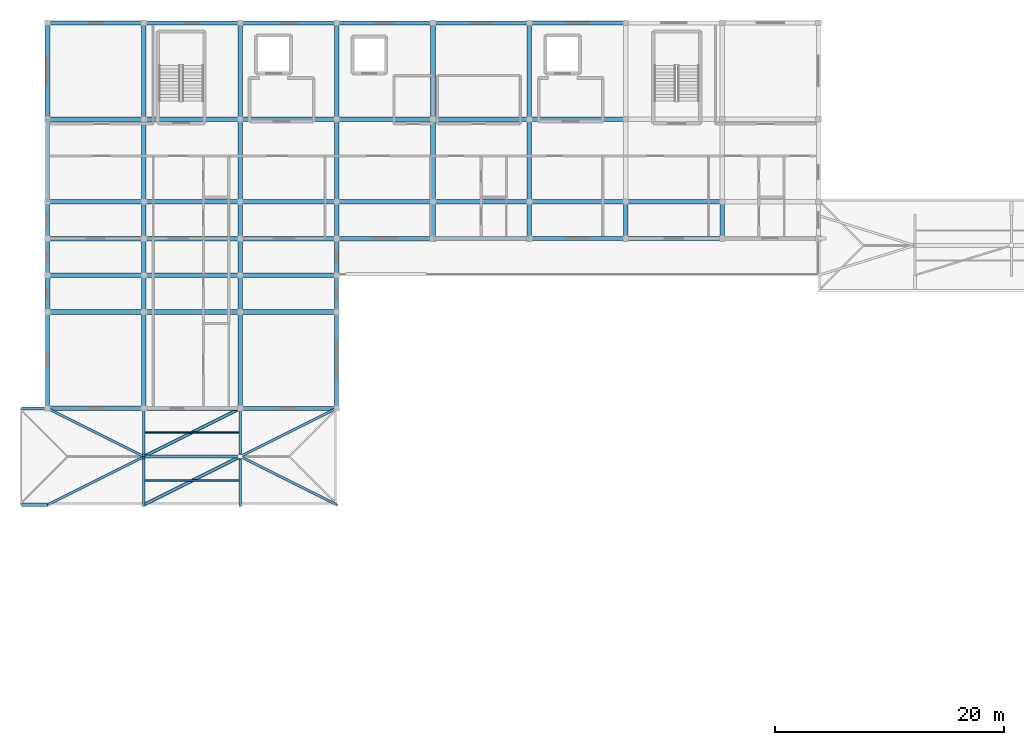
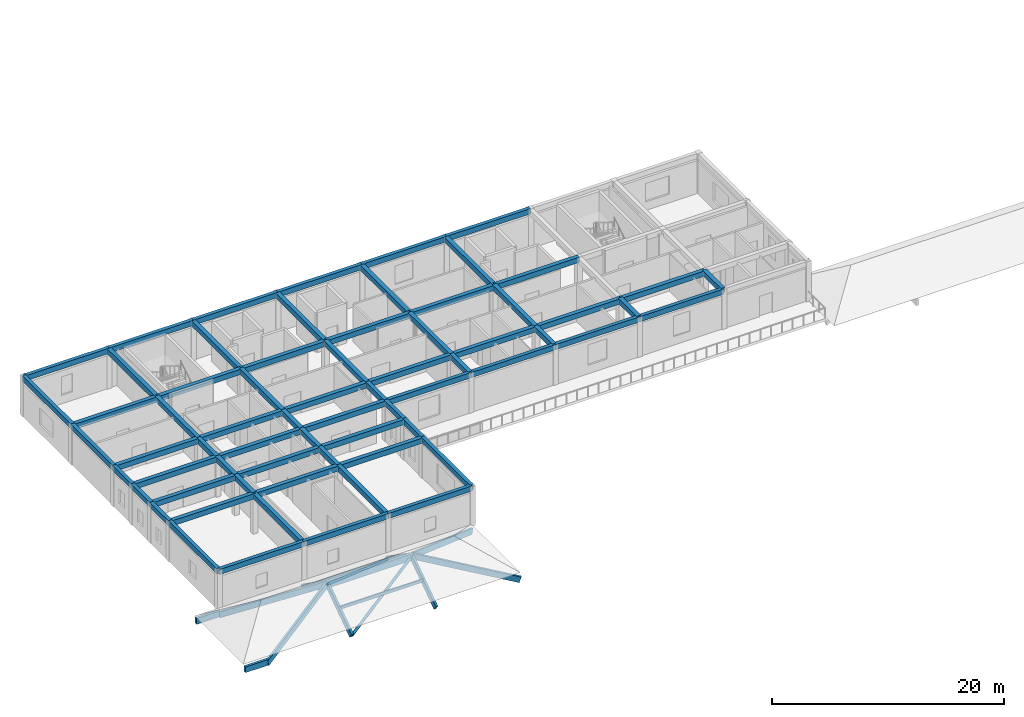
# One storey, part 3 of 26: 70 beams, 12 members.
"""IFC4 building model written with IfcOpenShell, lengths in metres."""

from ifc_helpers import new_model, si_unit, direction, frame, origin, origin_2d, place, context, subcontext, project, spatial, rectangle, hollow_circle, extrude, material, material_profile, profile_set, type_object, element, save


model = new_model("IFC4")

# Units and contexts
model_context = context("Model", 3, precision=1e-05, world=origin(), true_north=direction((0.0, 1.0)))
body_context = subcontext(model_context, "Body", "Model", "MODEL_VIEW")
ifc_project = project(units=[si_unit("LENGTHUNIT", "METRE"), si_unit("AREAUNIT", "SQUARE_METRE"), si_unit("VOLUMEUNIT", "CUBIC_METRE"), si_unit("PLANEANGLEUNIT", "RADIAN"), si_unit("MASSUNIT", "GRAM", prefix="KILO")], contexts=[model_context])

# Site, building, storey
site_placement = place(None, origin())
site = spatial("IfcSite", under=ifc_project, at=site_placement, CompositionType="ELEMENT")
building_placement = place(site_placement, origin())
building = spatial("IfcBuilding", under=site, at=building_placement, Name="Varncliffe General Hospital", CompositionType="ELEMENT")
storey_placement = place(building_placement, frame((0.0, 0.0, 28.800048828125)))
storey = spatial("IfcBuildingStorey", under=building, at=storey_placement, Name="L06", CompositionType="ELEMENT", Elevation=28.800048828125)

# Beams
ifc_material_1 = material(Name="Concrete C35/45 (CSA A23.1 35 MPa)", Category="concrete")
ifc_material_profile_1 = material_profile(ifc_material_1, rectangle(XDim=0.39990234375, YDim=0.550048828125, at=origin_2d()), Name="RC 400x550")
ifc_profile_set_1 = profile_set([ifc_material_profile_1], Name="Concrete C35/45 (CSA A23.1 35 MPa)")
beam_type_1 = type_object("IfcBeamType", Name="Beam B32 (Int RC 400x550)", PredefinedType="BEAM", material=ifc_profile_set_1)
beam_1_placement = place(storey_placement, frame((0.0, 99.60009765625, 3.925048828125), z_axis=(1.0, 0.0, 0.0), x_axis=(0.0, 1.0, 0.0)))
element("IfcBeam", 1, at=beam_1_placement, inside=storey, type_object=beam_type_1, Name="L06 Primary Beam B32-7", PredefinedType="BEAM", context=body_context, shape_type="SweptSolid", body=[
    extrude(rectangle(XDim=0.39990234375, YDim=0.550048828125, at=origin_2d()), origin(), (0.0, 0.0, 1.0), 8.39990234375),
])
beam_2_placement = place(storey_placement, frame((8.39990234375, 99.60009765625, 3.925048828125), z_axis=(1.0, 0.0, 0.0), x_axis=(0.0, 1.0, 0.0)))
element("IfcBeam", 2, at=beam_2_placement, inside=storey, type_object=beam_type_1, Name="L06 Primary Beam B32-8", PredefinedType="BEAM", context=body_context, shape_type="SweptSolid", body=[
    extrude(rectangle(XDim=0.39990234375, YDim=0.550048828125, at=origin_2d()), origin(), (0.0, 0.0, 1.0), 8.400146484375),
])
for number, where, z_axis, x_axis, name in (
    (3, (16.800048828125, 99.60009765625, 3.925048828125), (1.0, 0.0, 0.0), (0.0, 1.0, 0.0), "L06 Primary Beam B32-9"),
    (4, (0.0, 102.800048828125, 3.925048828125), (1.0, 0.0, 0.0), (0.0, 1.0, 0.0), "L06 Primary Beam B32-13"),
):
    element("IfcBeam", number, at=place(storey_placement, frame(where, z_axis=z_axis, x_axis=x_axis)), inside=storey, type_object=beam_type_1, Name=name, PredefinedType="BEAM", context=body_context, shape_type="SweptSolid", body=[
        extrude(rectangle(XDim=0.39990234375, YDim=0.550048828125, at=origin_2d()), origin(), (0.0, 0.0, 1.0), 8.39990234375),
    ])
beam_3_placement = place(storey_placement, frame((8.39990234375, 102.800048828125, 3.925048828125), z_axis=(1.0, 0.0, 0.0), x_axis=(0.0, 1.0, 0.0)))
element("IfcBeam", 5, at=beam_3_placement, inside=storey, type_object=beam_type_1, Name="L06 Primary Beam B32-14", PredefinedType="BEAM", context=body_context, shape_type="SweptSolid", body=[
    extrude(rectangle(XDim=0.39990234375, YDim=0.550048828125, at=origin_2d()), origin(), (0.0, 0.0, 1.0), 8.400146484375),
])
for number, where, z_axis, x_axis, name in (
    (6, (16.800048828125, 102.800048828125, 3.925048828125), (1.0, 0.0, 0.0), (0.0, 1.0, 0.0), "L06 Primary Beam B32-15"),
    (7, (0.0, 106.0, 3.925048828125), (1.0, 0.0, 0.0), (0.0, 1.0, 0.0), "L06 Primary Beam B32-19"),
):
    element("IfcBeam", number, at=place(storey_placement, frame(where, z_axis=z_axis, x_axis=x_axis)), inside=storey, type_object=beam_type_1, Name=name, PredefinedType="BEAM", context=body_context, shape_type="SweptSolid", body=[
        extrude(rectangle(XDim=0.39990234375, YDim=0.550048828125, at=origin_2d()), origin(), (0.0, 0.0, 1.0), 8.39990234375),
    ])
beam_4_placement = place(storey_placement, frame((8.39990234375, 106.0, 3.925048828125), z_axis=(1.0, 0.0, 0.0), x_axis=(0.0, 1.0, 0.0)))
element("IfcBeam", 8, at=beam_4_placement, inside=storey, type_object=beam_type_1, Name="L06 Primary Beam B32-20", PredefinedType="BEAM", context=body_context, shape_type="SweptSolid", body=[
    extrude(rectangle(XDim=0.39990234375, YDim=0.550048828125, at=origin_2d()), origin(), (0.0, 0.0, 1.0), 8.400146484375),
])
for number, where, z_axis, x_axis, name in (
    (9, (16.800048828125, 106.0, 3.925048828125), (1.0, 0.0, 0.0), (0.0, 1.0, 0.0), "L06 Primary Beam B32-21"),
    (10, (0.0, 109.199951171875, 3.925048828125), (1.0, 0.0, 0.0), (0.0, 1.0, 0.0), "L06 Primary Beam B32-35"),
):
    element("IfcBeam", number, at=place(storey_placement, frame(where, z_axis=z_axis, x_axis=x_axis)), inside=storey, type_object=beam_type_1, Name=name, PredefinedType="BEAM", context=body_context, shape_type="SweptSolid", body=[
        extrude(rectangle(XDim=0.39990234375, YDim=0.550048828125, at=origin_2d()), origin(), (0.0, 0.0, 1.0), 8.39990234375),
    ])
beam_5_placement = place(storey_placement, frame((8.39990234375, 109.199951171875, 3.925048828125), z_axis=(1.0, 0.0, 0.0), x_axis=(0.0, 1.0, 0.0)))
element("IfcBeam", 11, at=beam_5_placement, inside=storey, type_object=beam_type_1, Name="L06 Primary Beam B32-36", PredefinedType="BEAM", context=body_context, shape_type="SweptSolid", body=[
    extrude(rectangle(XDim=0.39990234375, YDim=0.550048828125, at=origin_2d()), origin(), (0.0, 0.0, 1.0), 8.400146484375),
])
beam_6_placement = place(storey_placement, frame((16.800048828125, 109.199951171875, 3.925048828125), z_axis=(1.0, 0.0, 0.0), x_axis=(0.0, 1.0, 0.0)))
element("IfcBeam", 12, at=beam_6_placement, inside=storey, type_object=beam_type_1, Name="L06 Primary Beam B32-37", PredefinedType="BEAM", context=body_context, shape_type="SweptSolid", body=[
    extrude(rectangle(XDim=0.39990234375, YDim=0.550048828125, at=origin_2d()), origin(), (0.0, 0.0, 1.0), 8.39990234375),
])
beam_7_placement = place(storey_placement, frame((25.199951171875, 109.199951171875, 3.925048828125), z_axis=(1.0, 0.0, 0.0), x_axis=(0.0, 1.0, 0.0)))
element("IfcBeam", 13, at=beam_7_placement, inside=storey, type_object=beam_type_1, Name="L06 Primary Beam B32-38", PredefinedType="BEAM", context=body_context, shape_type="SweptSolid", body=[
    extrude(rectangle(XDim=0.39990234375, YDim=0.550048828125, at=origin_2d()), origin(), (0.0, 0.0, 1.0), 8.400146484375),
])
for number, where, z_axis, x_axis, name in (
    (14, (33.60009765625, 109.199951171875, 3.925048828125), (1.0, 0.0, 0.0), (0.0, 1.0, 0.0), "L06 Primary Beam B32-39"),
    (15, (42.0, 109.199951171875, 3.925048828125), (1.0, 0.0, 0.0), (0.0, 1.0, 0.0), "L06 Primary Beam B32-40"),
):
    element("IfcBeam", number, at=place(storey_placement, frame(where, z_axis=z_axis, x_axis=x_axis)), inside=storey, type_object=beam_type_1, Name=name, PredefinedType="BEAM", context=body_context, shape_type="SweptSolid", body=[
        extrude(rectangle(XDim=0.39990234375, YDim=0.550048828125, at=origin_2d()), origin(), (0.0, 0.0, 1.0), 8.39990234375),
    ])
beam_8_placement = place(storey_placement, frame((50.39990234375, 109.199951171875, 3.925048828125), z_axis=(1.0, 0.0, 0.0), x_axis=(0.0, 1.0, 0.0)))
element("IfcBeam", 16, at=beam_8_placement, inside=storey, type_object=beam_type_1, Name="L06 Primary Beam B32-41", PredefinedType="BEAM", context=body_context, shape_type="SweptSolid", body=[
    extrude(rectangle(XDim=0.39990234375, YDim=0.550048828125, at=origin_2d()), origin(), (0.0, 0.0, 1.0), 8.400146484375),
])
beam_9_placement = place(storey_placement, frame((0.0, 116.39990234375, 3.925048828125), z_axis=(1.0, 0.0, 0.0), x_axis=(0.0, 1.0, 0.0)))
element("IfcBeam", 17, at=beam_9_placement, inside=storey, type_object=beam_type_1, Name="L06 Primary Beam B32-51", PredefinedType="BEAM", context=body_context, shape_type="SweptSolid", body=[
    extrude(rectangle(XDim=0.39990234375, YDim=0.550048828125, at=origin_2d()), origin(), (0.0, 0.0, 1.0), 8.39990234375),
])
beam_10_placement = place(storey_placement, frame((8.39990234375, 116.39990234375, 3.925048828125), z_axis=(1.0, 0.0, 0.0), x_axis=(0.0, 1.0, 0.0)))
element("IfcBeam", 18, at=beam_10_placement, inside=storey, type_object=beam_type_1, Name="L06 Primary Beam B32-52", PredefinedType="BEAM", context=body_context, shape_type="SweptSolid", body=[
    extrude(rectangle(XDim=0.39990234375, YDim=0.550048828125, at=origin_2d()), origin(), (0.0, 0.0, 1.0), 8.400146484375),
])
beam_11_placement = place(storey_placement, frame((16.800048828125, 116.39990234375, 3.925048828125), z_axis=(1.0, 0.0, 0.0), x_axis=(0.0, 1.0, 0.0)))
element("IfcBeam", 19, at=beam_11_placement, inside=storey, type_object=beam_type_1, Name="L06 Primary Beam B32-53", PredefinedType="BEAM", context=body_context, shape_type="SweptSolid", body=[
    extrude(rectangle(XDim=0.39990234375, YDim=0.550048828125, at=origin_2d()), origin(), (0.0, 0.0, 1.0), 8.39990234375),
])
beam_12_placement = place(storey_placement, frame((25.199951171875, 116.39990234375, 3.925048828125), z_axis=(1.0, 0.0, 0.0), x_axis=(0.0, 1.0, 0.0)))
element("IfcBeam", 20, at=beam_12_placement, inside=storey, type_object=beam_type_1, Name="L06 Primary Beam B32-54", PredefinedType="BEAM", context=body_context, shape_type="SweptSolid", body=[
    extrude(rectangle(XDim=0.39990234375, YDim=0.550048828125, at=origin_2d()), origin(), (0.0, 0.0, 1.0), 8.400146484375),
])
for number, where, z_axis, x_axis, name in (
    (21, (33.60009765625, 116.39990234375, 3.925048828125), (1.0, 0.0, 0.0), (0.0, 1.0, 0.0), "L06 Primary Beam B32-55"),
    (22, (42.0, 116.39990234375, 3.925048828125), (1.0, 0.0, 0.0), (0.0, 1.0, 0.0), "L06 Primary Beam B32-56"),
):
    element("IfcBeam", number, at=place(storey_placement, frame(where, z_axis=z_axis, x_axis=x_axis)), inside=storey, type_object=beam_type_1, Name=name, PredefinedType="BEAM", context=body_context, shape_type="SweptSolid", body=[
        extrude(rectangle(XDim=0.39990234375, YDim=0.550048828125, at=origin_2d()), origin(), (0.0, 0.0, 1.0), 8.39990234375),
    ])
beam_13_placement = place(storey_placement, frame((8.39990234375, 91.199951171875, 3.925048828125), z_axis=(0.0, 1.0, 0.0), x_axis=(-1.0, 0.0, 0.0)))
element("IfcBeam", 23, at=beam_13_placement, inside=storey, type_object=beam_type_1, Name="L06 Primary Beam B32-89", PredefinedType="BEAM", context=body_context, shape_type="SweptSolid", body=[
    extrude(rectangle(XDim=0.39990234375, YDim=0.550048828125, at=origin_2d()), origin(), (0.0, 0.0, 1.0), 8.400146484375),
])
for number, where, z_axis, x_axis, name in (
    (24, (8.39990234375, 99.60009765625, 3.925048828125), (0.0, 1.0, 0.0), (-1.0, 0.0, 0.0), "L06 Primary Beam B32-90"),
    (25, (8.39990234375, 102.800048828125, 3.925048828125), (0.0, 1.0, 0.0), (-1.0, 0.0, 0.0), "L06 Primary Beam B32-91"),
    (26, (8.39990234375, 106.0, 3.925048828125), (0.0, 1.0, 0.0), (-1.0, 0.0, 0.0), "L06 Primary Beam B32-92"),
):
    element("IfcBeam", number, at=place(storey_placement, frame(where, z_axis=z_axis, x_axis=x_axis)), inside=storey, type_object=beam_type_1, Name=name, PredefinedType="BEAM", context=body_context, shape_type="SweptSolid", body=[
        extrude(rectangle(XDim=0.39990234375, YDim=0.550048828125, at=origin_2d()), origin(), (0.0, 0.0, 1.0), 3.199951171875),
    ])
beam_14_placement = place(storey_placement, frame((8.39990234375, 109.199951171875, 3.925048828125), z_axis=(0.0, 1.0, 0.0), x_axis=(-1.0, 0.0, 0.0)))
element("IfcBeam", 27, at=beam_14_placement, inside=storey, type_object=beam_type_1, Name="L06 Primary Beam B32-93", PredefinedType="BEAM", context=body_context, shape_type="SweptSolid", body=[
    extrude(rectangle(XDim=0.39990234375, YDim=0.550048828125, at=origin_2d()), origin(), (0.0, 0.0, 1.0), 7.199951171875),
])
for number, where, z_axis, x_axis, name in (
    (28, (8.39990234375, 116.39990234375, 3.925048828125), (0.0, 1.0, 0.0), (-1.0, 0.0, 0.0), "L06 Primary Beam B32-94"),
    (29, (16.800048828125, 91.199951171875, 3.925048828125), (0.0, 1.0, 0.0), (-1.0, 0.0, 0.0), "L06 Primary Beam B32-95"),
):
    element("IfcBeam", number, at=place(storey_placement, frame(where, z_axis=z_axis, x_axis=x_axis)), inside=storey, type_object=beam_type_1, Name=name, PredefinedType="BEAM", context=body_context, shape_type="SweptSolid", body=[
        extrude(rectangle(XDim=0.39990234375, YDim=0.550048828125, at=origin_2d()), origin(), (0.0, 0.0, 1.0), 8.400146484375),
    ])
for number, where, z_axis, x_axis, name in (
    (30, (16.800048828125, 99.60009765625, 3.925048828125), (0.0, 1.0, 0.0), (-1.0, 0.0, 0.0), "L06 Primary Beam B32-96"),
    (31, (16.800048828125, 102.800048828125, 3.925048828125), (0.0, 1.0, 0.0), (-1.0, 0.0, 0.0), "L06 Primary Beam B32-97"),
    (32, (16.800048828125, 106.0, 3.925048828125), (0.0, 1.0, 0.0), (-1.0, 0.0, 0.0), "L06 Primary Beam B32-98"),
):
    element("IfcBeam", number, at=place(storey_placement, frame(where, z_axis=z_axis, x_axis=x_axis)), inside=storey, type_object=beam_type_1, Name=name, PredefinedType="BEAM", context=body_context, shape_type="SweptSolid", body=[
        extrude(rectangle(XDim=0.39990234375, YDim=0.550048828125, at=origin_2d()), origin(), (0.0, 0.0, 1.0), 3.199951171875),
    ])
beam_15_placement = place(storey_placement, frame((16.800048828125, 109.199951171875, 3.925048828125), z_axis=(0.0, 1.0, 0.0), x_axis=(-1.0, 0.0, 0.0)))
element("IfcBeam", 33, at=beam_15_placement, inside=storey, type_object=beam_type_1, Name="L06 Primary Beam B32-99", PredefinedType="BEAM", context=body_context, shape_type="SweptSolid", body=[
    extrude(rectangle(XDim=0.39990234375, YDim=0.550048828125, at=origin_2d()), origin(), (0.0, 0.0, 1.0), 7.199951171875),
])
beam_16_placement = place(storey_placement, frame((16.800048828125, 116.39990234375, 3.925048828125), z_axis=(0.0, 1.0, 0.0), x_axis=(-1.0, 0.0, 0.0)))
element("IfcBeam", 34, at=beam_16_placement, inside=storey, type_object=beam_type_1, Name="L06 Primary Beam B32-100", PredefinedType="BEAM", context=body_context, shape_type="SweptSolid", body=[
    extrude(rectangle(XDim=0.39990234375, YDim=0.550048828125, at=origin_2d()), origin(), (0.0, 0.0, 1.0), 8.400146484375),
])
beam_17_placement = place(storey_placement, frame((25.199951171875, 106.0, 3.925048828125), z_axis=(0.0, 1.0, 0.0), x_axis=(-1.0, 0.0, 0.0)))
element("IfcBeam", 35, at=beam_17_placement, inside=storey, type_object=beam_type_1, Name="L06 Primary Beam B32-104", PredefinedType="BEAM", context=body_context, shape_type="SweptSolid", body=[
    extrude(rectangle(XDim=0.39990234375, YDim=0.550048828125, at=origin_2d()), origin(), (0.0, 0.0, 1.0), 3.199951171875),
])
beam_18_placement = place(storey_placement, frame((25.199951171875, 109.199951171875, 3.925048828125), z_axis=(0.0, 1.0, 0.0), x_axis=(-1.0, 0.0, 0.0)))
element("IfcBeam", 36, at=beam_18_placement, inside=storey, type_object=beam_type_1, Name="L06 Primary Beam B32-105", PredefinedType="BEAM", context=body_context, shape_type="SweptSolid", body=[
    extrude(rectangle(XDim=0.39990234375, YDim=0.550048828125, at=origin_2d()), origin(), (0.0, 0.0, 1.0), 7.199951171875),
])
beam_19_placement = place(storey_placement, frame((25.199951171875, 116.39990234375, 3.925048828125), z_axis=(0.0, 1.0, 0.0), x_axis=(-1.0, 0.0, 0.0)))
element("IfcBeam", 37, at=beam_19_placement, inside=storey, type_object=beam_type_1, Name="L06 Primary Beam B32-106", PredefinedType="BEAM", context=body_context, shape_type="SweptSolid", body=[
    extrude(rectangle(XDim=0.39990234375, YDim=0.550048828125, at=origin_2d()), origin(), (0.0, 0.0, 1.0), 8.400146484375),
])
beam_20_placement = place(storey_placement, frame((33.60009765625, 106.0, 3.925048828125), z_axis=(0.0, 1.0, 0.0), x_axis=(-1.0, 0.0, 0.0)))
element("IfcBeam", 38, at=beam_20_placement, inside=storey, type_object=beam_type_1, Name="L06 Primary Beam B32-107", PredefinedType="BEAM", context=body_context, shape_type="SweptSolid", body=[
    extrude(rectangle(XDim=0.39990234375, YDim=0.550048828125, at=origin_2d()), origin(), (0.0, 0.0, 1.0), 3.199951171875),
])
beam_21_placement = place(storey_placement, frame((33.60009765625, 109.199951171875, 3.925048828125), z_axis=(0.0, 1.0, 0.0), x_axis=(-1.0, 0.0, 0.0)))
element("IfcBeam", 39, at=beam_21_placement, inside=storey, type_object=beam_type_1, Name="L06 Primary Beam B32-108", PredefinedType="BEAM", context=body_context, shape_type="SweptSolid", body=[
    extrude(rectangle(XDim=0.39990234375, YDim=0.550048828125, at=origin_2d()), origin(), (0.0, 0.0, 1.0), 7.199951171875),
])
beam_22_placement = place(storey_placement, frame((33.60009765625, 116.39990234375, 3.925048828125), z_axis=(0.0, 1.0, 0.0), x_axis=(-1.0, 0.0, 0.0)))
element("IfcBeam", 40, at=beam_22_placement, inside=storey, type_object=beam_type_1, Name="L06 Primary Beam B32-109", PredefinedType="BEAM", context=body_context, shape_type="SweptSolid", body=[
    extrude(rectangle(XDim=0.39990234375, YDim=0.550048828125, at=origin_2d()), origin(), (0.0, 0.0, 1.0), 8.400146484375),
])
beam_23_placement = place(storey_placement, frame((42.0, 106.0, 3.925048828125), z_axis=(0.0, 1.0, 0.0), x_axis=(-1.0, 0.0, 0.0)))
element("IfcBeam", 41, at=beam_23_placement, inside=storey, type_object=beam_type_1, Name="L06 Primary Beam B32-110", PredefinedType="BEAM", context=body_context, shape_type="SweptSolid", body=[
    extrude(rectangle(XDim=0.39990234375, YDim=0.550048828125, at=origin_2d()), origin(), (0.0, 0.0, 1.0), 3.199951171875),
])
beam_24_placement = place(storey_placement, frame((42.0, 109.199951171875, 3.925048828125), z_axis=(0.0, 1.0, 0.0), x_axis=(-1.0, 0.0, 0.0)))
element("IfcBeam", 42, at=beam_24_placement, inside=storey, type_object=beam_type_1, Name="L06 Primary Beam B32-111", PredefinedType="BEAM", context=body_context, shape_type="SweptSolid", body=[
    extrude(rectangle(XDim=0.39990234375, YDim=0.550048828125, at=origin_2d()), origin(), (0.0, 0.0, 1.0), 7.199951171875),
])
beam_25_placement = place(storey_placement, frame((42.0, 116.39990234375, 3.925048828125), z_axis=(0.0, 1.0, 0.0), x_axis=(-1.0, 0.0, 0.0)))
element("IfcBeam", 43, at=beam_25_placement, inside=storey, type_object=beam_type_1, Name="L06 Primary Beam B32-112", PredefinedType="BEAM", context=body_context, shape_type="SweptSolid", body=[
    extrude(rectangle(XDim=0.39990234375, YDim=0.550048828125, at=origin_2d()), origin(), (0.0, 0.0, 1.0), 8.400146484375),
])
for number, where, z_axis, x_axis, name in (
    (44, (50.39990234375, 106.0, 3.925048828125), (0.0, 1.0, 0.0), (-1.0, 0.0, 0.0), "L06 Primary Beam B32-113"),
    (45, (58.800048828125, 106.0, 3.925048828125), (0.0, 1.0, 0.0), (-1.0, 0.0, 0.0), "L06 Primary Beam B32-116"),
):
    element("IfcBeam", number, at=place(storey_placement, frame(where, z_axis=z_axis, x_axis=x_axis)), inside=storey, type_object=beam_type_1, Name=name, PredefinedType="BEAM", context=body_context, shape_type="SweptSolid", body=[
        extrude(rectangle(XDim=0.39990234375, YDim=0.550048828125, at=origin_2d()), origin(), (0.0, 0.0, 1.0), 3.199951171875),
    ])
ifc_material_2 = material(Name="Glulam GL28h (CSA O86 24f-EX, 30 MPa)", Category="wood")
ifc_material_profile_2 = material_profile(ifc_material_2, rectangle(XDim=0.264892578125, YDim=0.68408203125, at=origin_2d()), Name="GL 265x684")
ifc_profile_set_2 = profile_set([ifc_material_profile_2], Name="Glulam GL28h (CSA O86 24f-EX, 30 MPa)")
beam_type_2 = type_object("IfcBeamType", Name="Beam B72 (Int GL 265x684)", PredefinedType="BEAM", material=ifc_profile_set_2)
beam_26_placement = place(storey_placement, frame((8.239990234375, 87.0, 2.14208984375), z_axis=(1.0, 0.0, 0.0), x_axis=(0.0, 1.0, 0.0)))
element("IfcBeam", 46, at=beam_26_placement, inside=storey, type_object=beam_type_2, Name="L06 RF-V6-SW1 Glulam Ridge Girder", PredefinedType="BEAM", context=body_context, shape_type="SweptSolid", body=[
    extrude(rectangle(XDim=0.264892578125, YDim=0.68408203125, at=origin_2d()), origin(), (0.0, 0.0, 1.0), 8.719970703125),
])
ifc_material_profile_3 = material_profile(ifc_material_2, rectangle(XDim=0.264892578125, YDim=0.60791015625, at=origin_2d()), Name="GL 265x608")
ifc_profile_set_3 = profile_set([ifc_material_profile_3], Name="Glulam GL28h (CSA O86 24f-EX, 30 MPa)")
beam_type_3 = type_object("IfcBeamType", Name="Beam B82 (Ext GL 265x608)", PredefinedType="BEAM", material=ifc_profile_set_3)
for number, where, z_axis, x_axis, name in (
    (47, (-2.260009765625, 82.800048828125, -0.5244140625), (1.0, 0.0, 0.0), (0.0, 1.0, 0.0), "L06 RF-V6-SW1 West Eave Lookout Bracket 1"),
    (48, (-2.260009765625, 91.199951171875, -0.5244140625), (1.0, 0.0, 0.0), (0.0, 1.0, 0.0), "L06 RF-V6-SW1 West Eave Lookout Bracket 2"),
):
    element("IfcBeam", number, at=place(storey_placement, frame(where, z_axis=z_axis, x_axis=x_axis)), inside=storey, type_object=beam_type_3, Name=name, PredefinedType="BEAM", context=body_context, shape_type="SweptSolid", body=[
        extrude(rectangle(XDim=0.264892578125, YDim=0.60791015625, at=origin_2d()), origin(), (0.0, 0.0, 1.0), 2.260009765625),
    ])

# Members
ifc_material_profile_4 = material_profile(ifc_material_2, rectangle(XDim=0.215087890625, YDim=0.60791015625, at=origin_2d()), Name="GL 215x608")
ifc_profile_set_4 = profile_set([ifc_material_profile_4], Name="Glulam GL28h (CSA O86 24f-EX, 30 MPa)")
member_type_1 = type_object("IfcMemberType", Name="Member MB20 (RAFTER Int GL 215x608)", PredefinedType="RAFTER", material=ifc_profile_set_4)
for number, where, z_axis, x_axis, name in (
    (49, (0.0, 82.800048828125, -0.66552734375), (0.854710030416, 0.427342527845, 0.294701760772), (-0.447203141302, 0.894432418022, 0.0), "L06 RF-V6-SW1 Hip Rafter SW"),
    (50, (0.0, 91.199951171875, -0.66552734375), (0.854710030416, -0.427342527845, 0.294701760772), (0.447203141302, 0.894432418022, 0.0), "L06 RF-V6-SW1 Hip Rafter NW"),
    (51, (25.199951171875, 82.800048828125, -0.66552734375), (-0.854710030416, 0.427342527845, 0.294701760772), (-0.447203141302, -0.894432418022, 0.0), "L06 RF-V6-SW1 Hip Rafter SE"),
    (52, (25.199951171875, 91.199951171875, -0.66552734375), (-0.854710030416, -0.427342527845, 0.294701760772), (0.447203141302, -0.894432418022, 0.0), "L06 RF-V6-SW1 Hip Rafter NE"),
):
    element("IfcMember", number, at=place(storey_placement, frame(where, z_axis=z_axis, x_axis=x_axis)), inside=storey, type_object=member_type_1, Name=name, PredefinedType="RAFTER", context=body_context, shape_type="SweptSolid", body=[
        extrude(rectangle(XDim=0.215087890625, YDim=0.60791015625, at=origin_2d()), origin(), (0.0, 0.0, 1.0), 9.775390625),
    ])
for number, where, z_axis, x_axis, name in (
    (53, (8.39990234375, 82.800048828125, -0.716796875), (0.0, 0.823201050111, 0.567749972344), (-1.0, 0.0, 0.0), "L06 RF-V6-SW1 South Sloped Glulam Rafter 1"),
    (54, (8.39990234375, 91.199951171875, -0.716796875), (0.0, -0.823201050111, 0.567749972344), (1.0, 0.0, 0.0), "L06 RF-V6-SW1 North Sloped Glulam Rafter 1"),
    (55, (16.800048828125, 82.800048828125, -0.716796875), (0.0, 0.823201050111, 0.567749972344), (-1.0, 0.0, 0.0), "L06 RF-V6-SW1 South Sloped Glulam Rafter 2"),
    (56, (16.800048828125, 91.199951171875, -0.716796875), (0.0, -0.823201050111, 0.567749972344), (1.0, 0.0, 0.0), "L06 RF-V6-SW1 North Sloped Glulam Rafter 2"),
):
    element("IfcMember", number, at=place(storey_placement, frame(where, z_axis=z_axis, x_axis=x_axis)), inside=storey, type_object=member_type_1, Name=name, PredefinedType="RAFTER", context=body_context, shape_type="SweptSolid", body=[
        extrude(rectangle(XDim=0.215087890625, YDim=0.60791015625, at=origin_2d()), origin(), (0.0, 0.0, 1.0), 5.029052734375),
    ])
ifc_material_profile_5 = material_profile(ifc_material_2, rectangle(XDim=0.1298828125, YDim=0.342041015625, at=origin_2d()), Name="GL 130x342")
ifc_profile_set_5 = profile_set([ifc_material_profile_5], Name="Glulam GL28h (CSA O86 24f-EX, 30 MPa)")
member_type_2 = type_object("IfcMemberType", Name="Member MB31 (PURLIN Int GL 130x342)", PredefinedType="PURLIN", material=ifc_profile_set_5)
for number, where, z_axis, x_axis, name in (
    (57, (8.39990234375, 84.89990234375, 0.932861328125), (1.0, 0.0, 0.0), (0.0, 1.0, 0.0), "L06 RF-V6-SW1 Timber Purlin S1"),
    (58, (8.39990234375, 89.10009765625, 0.932861328125), (1.0, 0.0, 0.0), (0.0, 1.0, 0.0), "L06 RF-V6-SW1 Timber Purlin N1"),
):
    element("IfcMember", number, at=place(storey_placement, frame(where, z_axis=z_axis, x_axis=x_axis)), inside=storey, type_object=member_type_2, Name=name, PredefinedType="PURLIN", context=body_context, shape_type="SweptSolid", body=[
        extrude(rectangle(XDim=0.1298828125, YDim=0.342041015625, at=origin_2d()), origin(), (0.0, 0.0, 1.0), 8.400146484375),
    ])
ifc_material_3 = material(Name="Steel S355 (CSA G40.21 350W)", Category="steel")
ifc_material_profile_6 = material_profile(ifc_material_3, hollow_circle(Radius=0.136474609375, WallThickness=0.00927734375, at=origin_2d()), Name="CHS 273x9.3")
ifc_profile_set_6 = profile_set([ifc_material_profile_6], Name="Steel S355 (CSA G40.21 350W)")
member_type_3 = type_object("IfcMemberType", Name="Member MB42 (BRACE Int CHS 273x9.3)", PredefinedType="BRACE", material=ifc_profile_set_6)
for number, where, z_axis, x_axis, name in (
    (59, (8.39990234375, 82.800048828125, -0.716796875), (0.855665504115, 0.427820317589, 0.291215248443), (-0.447203197209, 0.89443239007, 0.0), "L06 RF-V6-SW1 Lateral Wind Brace 1"),
    (60, (16.800048828125, 91.199951171875, -0.716796875), (-0.855665504115, -0.427820317589, 0.291215248443), (0.447203197209, -0.89443239007, 0.0), "L06 RF-V6-SW1 Lateral Wind Brace 2"),
):
    element("IfcMember", number, at=place(storey_placement, frame(where, z_axis=z_axis, x_axis=x_axis)), inside=storey, type_object=member_type_3, Name=name, PredefinedType="BRACE", context=body_context, shape_type="SweptSolid", body=[
        extrude(hollow_circle(Radius=0.136474609375, WallThickness=0.00927734375, at=origin_2d()), origin(), (0.0, 0.0, 1.0), 9.817138671875),
    ])

# Beams
ifc_material_profile_7 = material_profile(ifc_material_1, rectangle(XDim=0.35009765625, YDim=0.550048828125, at=origin_2d()), Name="RC 350x550")
ifc_profile_set_7 = profile_set([ifc_material_profile_7], Name="Concrete C35/45 (CSA A23.1 35 MPa)")
beam_type_4 = type_object("IfcBeamType", Name="Spandrel SP20 (Ext RC 350x550)", PredefinedType="SPANDREL", material=ifc_profile_set_7)
beam_27_placement = place(storey_placement, frame((0.0, 91.199951171875, 3.925048828125), z_axis=(1.0, 0.0, 0.0), x_axis=(0.0, 1.0, 0.0)))
element("IfcBeam", 61, at=beam_27_placement, inside=storey, type_object=beam_type_4, Name="L06 Spandrel Beam SP20-1", PredefinedType="SPANDREL", context=body_context, shape_type="SweptSolid", body=[
    extrude(rectangle(XDim=0.35009765625, YDim=0.550048828125, at=origin_2d()), origin(), (0.0, 0.0, 1.0), 8.39990234375),
])
beam_28_placement = place(storey_placement, frame((8.39990234375, 91.199951171875, 3.925048828125), z_axis=(1.0, 0.0, 0.0), x_axis=(0.0, 1.0, 0.0)))
element("IfcBeam", 62, at=beam_28_placement, inside=storey, type_object=beam_type_4, Name="L06 Spandrel Beam SP20-2", PredefinedType="SPANDREL", context=body_context, shape_type="SweptSolid", body=[
    extrude(rectangle(XDim=0.35009765625, YDim=0.550048828125, at=origin_2d()), origin(), (0.0, 0.0, 1.0), 8.400146484375),
])
beam_29_placement = place(storey_placement, frame((16.800048828125, 91.199951171875, 3.925048828125), z_axis=(1.0, 0.0, 0.0), x_axis=(0.0, 1.0, 0.0)))
element("IfcBeam", 63, at=beam_29_placement, inside=storey, type_object=beam_type_4, Name="L06 Spandrel Beam SP20-3", PredefinedType="SPANDREL", context=body_context, shape_type="SweptSolid", body=[
    extrude(rectangle(XDim=0.35009765625, YDim=0.550048828125, at=origin_2d()), origin(), (0.0, 0.0, 1.0), 8.39990234375),
])
beam_30_placement = place(storey_placement, frame((25.199951171875, 106.0, 3.925048828125), z_axis=(1.0, 0.0, 0.0), x_axis=(0.0, 1.0, 0.0)))
element("IfcBeam", 64, at=beam_30_placement, inside=storey, type_object=beam_type_4, Name="L06 Spandrel Beam SP20-22", PredefinedType="SPANDREL", context=body_context, shape_type="SweptSolid", body=[
    extrude(rectangle(XDim=0.35009765625, YDim=0.550048828125, at=origin_2d()), origin(), (0.0, 0.0, 1.0), 8.400146484375),
])
for number, where, z_axis, x_axis, name in (
    (65, (33.60009765625, 106.0, 3.925048828125), (1.0, 0.0, 0.0), (0.0, 1.0, 0.0), "L06 Spandrel Beam SP20-23"),
    (66, (42.0, 106.0, 3.925048828125), (1.0, 0.0, 0.0), (0.0, 1.0, 0.0), "L06 Spandrel Beam SP20-24"),
):
    element("IfcBeam", number, at=place(storey_placement, frame(where, z_axis=z_axis, x_axis=x_axis)), inside=storey, type_object=beam_type_4, Name=name, PredefinedType="SPANDREL", context=body_context, shape_type="SweptSolid", body=[
        extrude(rectangle(XDim=0.35009765625, YDim=0.550048828125, at=origin_2d()), origin(), (0.0, 0.0, 1.0), 8.39990234375),
    ])
beam_31_placement = place(storey_placement, frame((50.39990234375, 106.0, 3.925048828125), z_axis=(1.0, 0.0, 0.0), x_axis=(0.0, 1.0, 0.0)))
element("IfcBeam", 67, at=beam_31_placement, inside=storey, type_object=beam_type_4, Name="L06 Spandrel Beam SP20-25", PredefinedType="SPANDREL", context=body_context, shape_type="SweptSolid", body=[
    extrude(rectangle(XDim=0.35009765625, YDim=0.550048828125, at=origin_2d()), origin(), (0.0, 0.0, 1.0), 8.400146484375),
])
beam_32_placement = place(storey_placement, frame((0.0, 124.800048828125, 3.925048828125), z_axis=(1.0, 0.0, 0.0), x_axis=(0.0, 1.0, 0.0)))
element("IfcBeam", 68, at=beam_32_placement, inside=storey, type_object=beam_type_4, Name="L06 Spandrel Beam SP20-67", PredefinedType="SPANDREL", context=body_context, shape_type="SweptSolid", body=[
    extrude(rectangle(XDim=0.35009765625, YDim=0.550048828125, at=origin_2d()), origin(), (0.0, 0.0, 1.0), 8.39990234375),
])
beam_33_placement = place(storey_placement, frame((8.39990234375, 124.800048828125, 3.925048828125), z_axis=(1.0, 0.0, 0.0), x_axis=(0.0, 1.0, 0.0)))
element("IfcBeam", 69, at=beam_33_placement, inside=storey, type_object=beam_type_4, Name="L06 Spandrel Beam SP20-68", PredefinedType="SPANDREL", context=body_context, shape_type="SweptSolid", body=[
    extrude(rectangle(XDim=0.35009765625, YDim=0.550048828125, at=origin_2d()), origin(), (0.0, 0.0, 1.0), 8.400146484375),
])
beam_34_placement = place(storey_placement, frame((16.800048828125, 124.800048828125, 3.925048828125), z_axis=(1.0, 0.0, 0.0), x_axis=(0.0, 1.0, 0.0)))
element("IfcBeam", 70, at=beam_34_placement, inside=storey, type_object=beam_type_4, Name="L06 Spandrel Beam SP20-69", PredefinedType="SPANDREL", context=body_context, shape_type="SweptSolid", body=[
    extrude(rectangle(XDim=0.35009765625, YDim=0.550048828125, at=origin_2d()), origin(), (0.0, 0.0, 1.0), 8.39990234375),
])
beam_35_placement = place(storey_placement, frame((25.199951171875, 124.800048828125, 3.925048828125), z_axis=(1.0, 0.0, 0.0), x_axis=(0.0, 1.0, 0.0)))
element("IfcBeam", 71, at=beam_35_placement, inside=storey, type_object=beam_type_4, Name="L06 Spandrel Beam SP20-70", PredefinedType="SPANDREL", context=body_context, shape_type="SweptSolid", body=[
    extrude(rectangle(XDim=0.35009765625, YDim=0.550048828125, at=origin_2d()), origin(), (0.0, 0.0, 1.0), 8.400146484375),
])
for number, where, z_axis, x_axis, name in (
    (72, (33.60009765625, 124.800048828125, 3.925048828125), (1.0, 0.0, 0.0), (0.0, 1.0, 0.0), "L06 Spandrel Beam SP20-71"),
    (73, (42.0, 124.800048828125, 3.925048828125), (1.0, 0.0, 0.0), (0.0, 1.0, 0.0), "L06 Spandrel Beam SP20-72"),
):
    element("IfcBeam", number, at=place(storey_placement, frame(where, z_axis=z_axis, x_axis=x_axis)), inside=storey, type_object=beam_type_4, Name=name, PredefinedType="SPANDREL", context=body_context, shape_type="SweptSolid", body=[
        extrude(rectangle(XDim=0.35009765625, YDim=0.550048828125, at=origin_2d()), origin(), (0.0, 0.0, 1.0), 8.39990234375),
    ])
beam_36_placement = place(storey_placement, frame((0.0, 91.199951171875, 3.925048828125), z_axis=(0.0, 1.0, 0.0), x_axis=(-1.0, 0.0, 0.0)))
element("IfcBeam", 74, at=beam_36_placement, inside=storey, type_object=beam_type_4, Name="L06 Spandrel Beam SP20-83", PredefinedType="SPANDREL", context=body_context, shape_type="SweptSolid", body=[
    extrude(rectangle(XDim=0.35009765625, YDim=0.550048828125, at=origin_2d()), origin(), (0.0, 0.0, 1.0), 8.400146484375),
])
for number, where, z_axis, x_axis, name in (
    (75, (0.0, 99.60009765625, 3.925048828125), (0.0, 1.0, 0.0), (-1.0, 0.0, 0.0), "L06 Spandrel Beam SP20-84"),
    (76, (0.0, 102.800048828125, 3.925048828125), (0.0, 1.0, 0.0), (-1.0, 0.0, 0.0), "L06 Spandrel Beam SP20-85"),
    (77, (0.0, 106.0, 3.925048828125), (0.0, 1.0, 0.0), (-1.0, 0.0, 0.0), "L06 Spandrel Beam SP20-86"),
):
    element("IfcBeam", number, at=place(storey_placement, frame(where, z_axis=z_axis, x_axis=x_axis)), inside=storey, type_object=beam_type_4, Name=name, PredefinedType="SPANDREL", context=body_context, shape_type="SweptSolid", body=[
        extrude(rectangle(XDim=0.35009765625, YDim=0.550048828125, at=origin_2d()), origin(), (0.0, 0.0, 1.0), 3.199951171875),
    ])
beam_37_placement = place(storey_placement, frame((0.0, 109.199951171875, 3.925048828125), z_axis=(0.0, 1.0, 0.0), x_axis=(-1.0, 0.0, 0.0)))
element("IfcBeam", 78, at=beam_37_placement, inside=storey, type_object=beam_type_4, Name="L06 Spandrel Beam SP20-87", PredefinedType="SPANDREL", context=body_context, shape_type="SweptSolid", body=[
    extrude(rectangle(XDim=0.35009765625, YDim=0.550048828125, at=origin_2d()), origin(), (0.0, 0.0, 1.0), 7.199951171875),
])
for number, where, z_axis, x_axis, name in (
    (79, (0.0, 116.39990234375, 3.925048828125), (0.0, 1.0, 0.0), (-1.0, 0.0, 0.0), "L06 Spandrel Beam SP20-88"),
    (80, (25.199951171875, 91.199951171875, 3.925048828125), (0.0, 1.0, 0.0), (-1.0, 0.0, 0.0), "L06 Spandrel Beam SP20-101"),
):
    element("IfcBeam", number, at=place(storey_placement, frame(where, z_axis=z_axis, x_axis=x_axis)), inside=storey, type_object=beam_type_4, Name=name, PredefinedType="SPANDREL", context=body_context, shape_type="SweptSolid", body=[
        extrude(rectangle(XDim=0.35009765625, YDim=0.550048828125, at=origin_2d()), origin(), (0.0, 0.0, 1.0), 8.400146484375),
    ])
for number, where, z_axis, x_axis, name in (
    (81, (25.199951171875, 99.60009765625, 3.925048828125), (0.0, 1.0, 0.0), (-1.0, 0.0, 0.0), "L06 Spandrel Beam SP20-102"),
    (82, (25.199951171875, 102.800048828125, 3.925048828125), (0.0, 1.0, 0.0), (-1.0, 0.0, 0.0), "L06 Spandrel Beam SP20-103"),
):
    element("IfcBeam", number, at=place(storey_placement, frame(where, z_axis=z_axis, x_axis=x_axis)), inside=storey, type_object=beam_type_4, Name=name, PredefinedType="SPANDREL", context=body_context, shape_type="SweptSolid", body=[
        extrude(rectangle(XDim=0.35009765625, YDim=0.550048828125, at=origin_2d()), origin(), (0.0, 0.0, 1.0), 3.199951171875),
    ])

save(model, "model.ifc")
